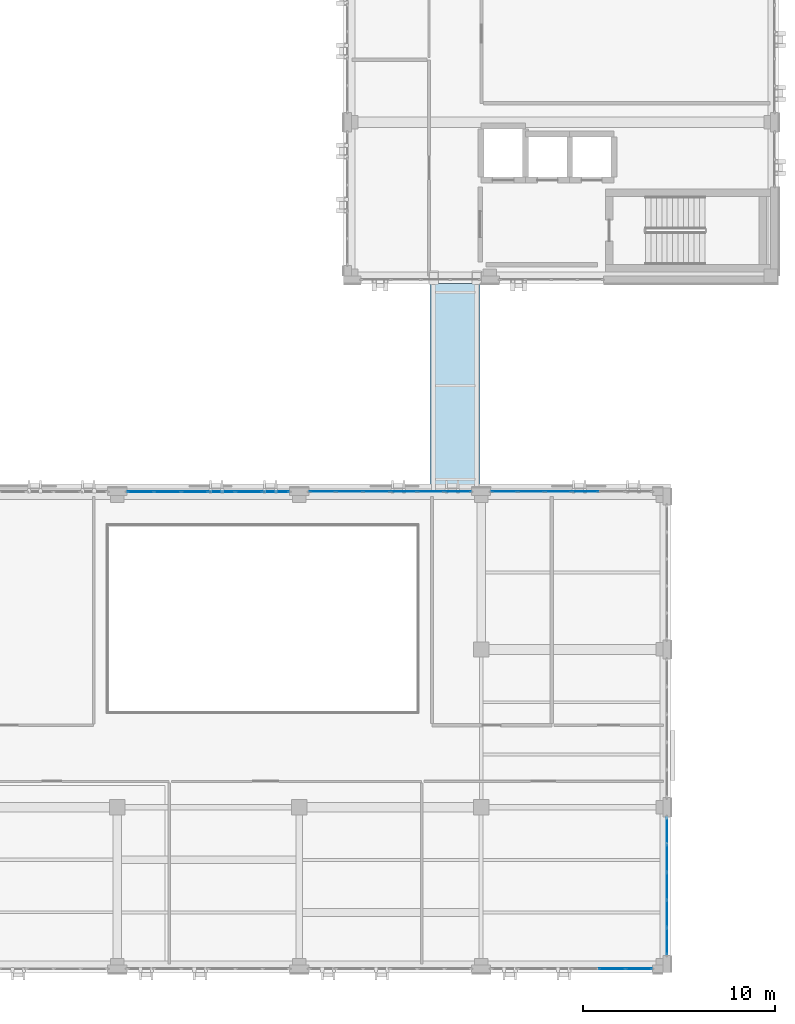
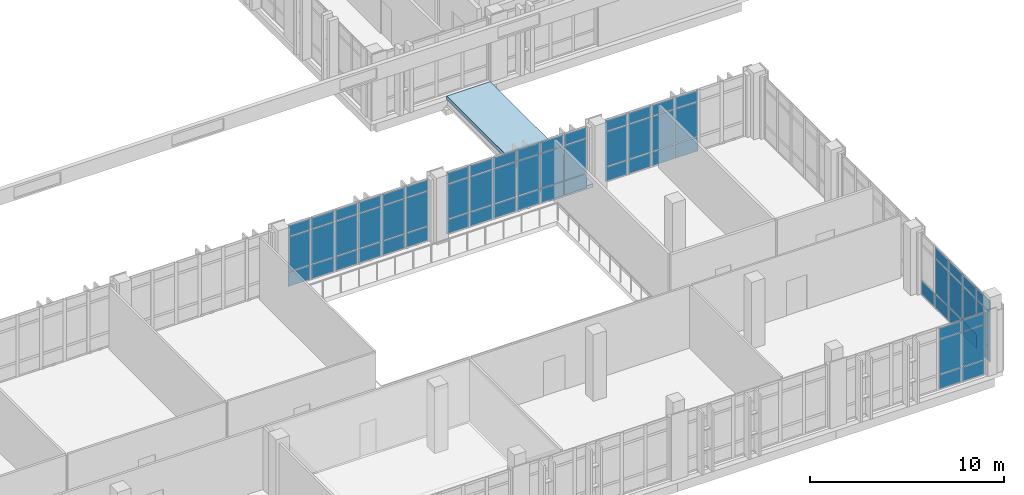
# One storey, part 117 of 158: 67 plates, 1 slab, 5 elements without a shape of their own.
"""IFC4 building model written with IfcOpenShell, lengths in metres."""

from ifc_helpers import new_model, si_unit, direction, frame, origin, origin_2d, place, context, subcontext, project, spatial, polyline, rectangle, outline, extrude, material, layer, layer_set, type_object, element, aggregate, save


model = new_model("IFC4")

# Units and contexts
model_context = context("Model", 3, precision=1e-05, world=origin(), true_north=direction((0.0, 1.0)))
body_context = subcontext(model_context, "Body", "Model", "MODEL_VIEW")
ifc_project = project(units=[si_unit("LENGTHUNIT", "METRE"), si_unit("AREAUNIT", "SQUARE_METRE"), si_unit("VOLUMEUNIT", "CUBIC_METRE"), si_unit("PLANEANGLEUNIT", "RADIAN"), si_unit("MASSUNIT", "GRAM", prefix="KILO")], contexts=[model_context])

# Site, building, storey
site_placement = place(None, origin())
site = spatial("IfcSite", under=ifc_project, at=site_placement, CompositionType="ELEMENT")
building_placement = place(site_placement, origin())
building = spatial("IfcBuilding", under=site, at=building_placement, Name="Qalavern Law Courts", CompositionType="ELEMENT")
storey_placement = place(building_placement, frame((0.0, 0.0, 18.60009765625)))
storey = spatial("IfcBuildingStorey", under=building, at=storey_placement, Name="L04", CompositionType="ELEMENT", Elevation=18.60009765625)

# Curtain wall, plates
ifc_material_1 = material(Name="Anodised aluminium and insulated glazing", Category="aluminium")
ifc_layer_1 = layer(ifc_material_1, 0.18505859375)
ifc_layer_set_1 = layer_set([ifc_layer_1], Name="Anodised aluminium and insulated glazing")
curtain_wall_type = type_object("IfcCurtainWallType", Name="ENV-CW-HALL", PredefinedType="USERDEFINED", material=ifc_layer_set_1)
curtain_wall_1_placement = place(storey_placement, origin())
curtain_wall_1 = element("IfcCurtainWall", 1, at=curtain_wall_1_placement, inside=storey, type_object=curtain_wall_type, Name="V2 unitised curtain wall L04 east 1", ObjectType="UNITISED CURTAIN WALL", PredefinedType="USERDEFINED")
ifc_material_2 = material(Name="Insulated low-E acoustic glazing", Category="glass")
ifc_layer_2 = layer(ifc_material_2, 0.02392578125)
ifc_layer_set_2 = layer_set([ifc_layer_2], Name="Insulated low-E acoustic glazing")
plate_type_1 = type_object("IfcPlateType", Name="ENV-CWP-24", PredefinedType="CURTAIN_PANEL", material=ifc_layer_set_2)
plate_1_placement = place(storey_placement, frame((101.0, 6.83203125, 0.0478515625), z_axis=(0.0, 0.0, 1.0), x_axis=(0.0, 1.0, 0.0)))
plate_1 = element("IfcPlate", 2, at=plate_1_placement, type_object=plate_type_1, Name="CW-02 panel 1.1", PredefinedType="CURTAIN_PANEL", context=body_context, shape_type="SweptSolid", body=[
    extrude(rectangle(XDim=1.367919921875, YDim=0.02392578125, at=origin_2d()), origin(), (0.0, 0.0, 1.0), 0.8779296875),
])
plate_2_placement = place(storey_placement, frame((101.0, 6.83203125, 0.97412109375), z_axis=(0.0, 0.0, 1.0), x_axis=(0.0, 1.0, 0.0)))
plate_2 = element("IfcPlate", 3, at=plate_2_placement, type_object=plate_type_1, Name="CW-02 panel 1.2", PredefinedType="CURTAIN_PANEL", context=body_context, shape_type="SweptSolid", body=[
    extrude(rectangle(XDim=1.367919921875, YDim=0.02392578125, at=origin_2d()), origin(), (0.0, 0.0, 1.0), 2.177001953125),
])
plate_3_placement = place(storey_placement, frame((101.0, 6.83203125, 3.19873046875), z_axis=(0.0, 0.0, 1.0), x_axis=(0.0, 1.0, 0.0)))
plate_3 = element("IfcPlate", 4, at=plate_3_placement, type_object=plate_type_1, Name="CW-02 panel 1.3", PredefinedType="CURTAIN_PANEL", context=body_context, shape_type="SweptSolid", body=[
    extrude(rectangle(XDim=1.367919921875, YDim=0.02392578125, at=origin_2d()), origin(), (0.0, 0.0, 1.0), 0.677978515625),
])
plate_4_placement = place(storey_placement, frame((101.0, 8.260009765625, 0.0478515625), z_axis=(0.0, 0.0, 1.0), x_axis=(0.0, 1.0, 0.0)))
plate_4 = element("IfcPlate", 5, at=plate_4_placement, type_object=plate_type_1, Name="CW-02 panel 2.1", PredefinedType="CURTAIN_PANEL", context=body_context, shape_type="SweptSolid", body=[
    extrude(rectangle(XDim=1.39208984375, YDim=0.02392578125, at=origin_2d()), origin(), (0.0, 0.0, 1.0), 0.8779296875),
])
plate_5_placement = place(storey_placement, frame((101.0, 8.260009765625, 0.97412109375), z_axis=(0.0, 0.0, 1.0), x_axis=(0.0, 1.0, 0.0)))
plate_5 = element("IfcPlate", 6, at=plate_5_placement, type_object=plate_type_1, Name="CW-02 panel 2.2", PredefinedType="CURTAIN_PANEL", context=body_context, shape_type="SweptSolid", body=[
    extrude(rectangle(XDim=1.39208984375, YDim=0.02392578125, at=origin_2d()), origin(), (0.0, 0.0, 1.0), 2.177001953125),
])
plate_6_placement = place(storey_placement, frame((101.0, 8.260009765625, 3.19873046875), z_axis=(0.0, 0.0, 1.0), x_axis=(0.0, 1.0, 0.0)))
plate_6 = element("IfcPlate", 7, at=plate_6_placement, type_object=plate_type_1, Name="CW-02 panel 2.3", PredefinedType="CURTAIN_PANEL", context=body_context, shape_type="SweptSolid", body=[
    extrude(rectangle(XDim=1.39208984375, YDim=0.02392578125, at=origin_2d()), origin(), (0.0, 0.0, 1.0), 0.677978515625),
])
plate_7_placement = place(storey_placement, frame((101.0, 9.699951171875, 0.0478515625), z_axis=(0.0, 0.0, 1.0), x_axis=(0.0, 1.0, 0.0)))
plate_7 = element("IfcPlate", 8, at=plate_7_placement, type_object=plate_type_1, Name="CW-02 panel 3.1", PredefinedType="CURTAIN_PANEL", context=body_context, shape_type="SweptSolid", body=[
    extrude(rectangle(XDim=1.39208984375, YDim=0.02392578125, at=origin_2d()), origin(), (0.0, 0.0, 1.0), 0.8779296875),
])
plate_8_placement = place(storey_placement, frame((101.0, 9.699951171875, 0.97412109375), z_axis=(0.0, 0.0, 1.0), x_axis=(0.0, 1.0, 0.0)))
plate_8 = element("IfcPlate", 9, at=plate_8_placement, type_object=plate_type_1, Name="CW-02 panel 3.2", PredefinedType="CURTAIN_PANEL", context=body_context, shape_type="SweptSolid", body=[
    extrude(rectangle(XDim=1.39208984375, YDim=0.02392578125, at=origin_2d()), origin(), (0.0, 0.0, 1.0), 2.177001953125),
])
plate_9_placement = place(storey_placement, frame((101.0, 9.699951171875, 3.19873046875), z_axis=(0.0, 0.0, 1.0), x_axis=(0.0, 1.0, 0.0)))
plate_9 = element("IfcPlate", 10, at=plate_9_placement, type_object=plate_type_1, Name="CW-02 panel 3.3", PredefinedType="CURTAIN_PANEL", context=body_context, shape_type="SweptSolid", body=[
    extrude(rectangle(XDim=1.39208984375, YDim=0.02392578125, at=origin_2d()), origin(), (0.0, 0.0, 1.0), 0.677978515625),
])
plate_10_placement = place(storey_placement, frame((101.0, 11.139892578125, 0.0478515625), z_axis=(0.0, 0.0, 1.0), x_axis=(0.0, 1.0, 0.0)))
plate_10 = element("IfcPlate", 11, at=plate_10_placement, type_object=plate_type_1, Name="CW-02 panel 4.1", PredefinedType="CURTAIN_PANEL", context=body_context, shape_type="SweptSolid", body=[
    extrude(rectangle(XDim=1.39208984375, YDim=0.02392578125, at=origin_2d()), origin(), (0.0, 0.0, 1.0), 0.8779296875),
])
plate_11_placement = place(storey_placement, frame((101.0, 11.139892578125, 0.97412109375), z_axis=(0.0, 0.0, 1.0), x_axis=(0.0, 1.0, 0.0)))
plate_11 = element("IfcPlate", 12, at=plate_11_placement, type_object=plate_type_1, Name="CW-02 panel 4.2", PredefinedType="CURTAIN_PANEL", context=body_context, shape_type="SweptSolid", body=[
    extrude(rectangle(XDim=1.39208984375, YDim=0.02392578125, at=origin_2d()), origin(), (0.0, 0.0, 1.0), 2.177001953125),
])
plate_12_placement = place(storey_placement, frame((101.0, 11.139892578125, 3.19873046875), z_axis=(0.0, 0.0, 1.0), x_axis=(0.0, 1.0, 0.0)))
plate_12 = element("IfcPlate", 13, at=plate_12_placement, type_object=plate_type_1, Name="CW-02 panel 4.3", PredefinedType="CURTAIN_PANEL", context=body_context, shape_type="SweptSolid", body=[
    extrude(rectangle(XDim=1.39208984375, YDim=0.02392578125, at=origin_2d()), origin(), (0.0, 0.0, 1.0), 0.677978515625),
])
plate_13_placement = place(storey_placement, frame((101.0, 12.568115234375, 0.0478515625), z_axis=(0.0, 0.0, 1.0), x_axis=(0.0, 1.0, 0.0)))
plate_13 = element("IfcPlate", 14, at=plate_13_placement, type_object=plate_type_1, Name="CW-02 panel 5.1", PredefinedType="CURTAIN_PANEL", context=body_context, shape_type="SweptSolid", body=[
    extrude(rectangle(XDim=1.367919921875, YDim=0.02392578125, at=origin_2d()), origin(), (0.0, 0.0, 1.0), 0.8779296875),
])
aggregate(curtain_wall_1, [plate_1, plate_2, plate_3, plate_4, plate_5, plate_6, plate_7, plate_8, plate_9, plate_10, plate_11, plate_12, plate_13])

curtain_wall_2_placement = place(storey_placement, origin())
curtain_wall_2 = element("IfcCurtainWall", 15, at=curtain_wall_2_placement, inside=storey, type_object=curtain_wall_type, Name="V2 unitised curtain wall L04 north 1", ObjectType="UNITISED CURTAIN WALL", PredefinedType="USERDEFINED")
plate_14_placement = place(storey_placement, frame((96.751220703125, 30.199951171875, 0.0478515625), z_axis=(0.0, 0.0, 1.0), x_axis=(-1.0, 0.0, 0.0)))
plate_14 = element("IfcPlate", 16, at=plate_14_placement, type_object=plate_type_1, Name="CW-02 panel 3.1", PredefinedType="CURTAIN_PANEL", context=body_context, shape_type="SweptSolid", body=[
    extrude(rectangle(XDim=1.353515625, YDim=0.02392578125, at=origin_2d()), origin(), (0.0, 0.0, 1.0), 0.8779296875),
])
plate_15_placement = place(storey_placement, frame((96.751220703125, 30.199951171875, 0.97412109375), z_axis=(0.0, 0.0, 1.0), x_axis=(-1.0, 0.0, 0.0)))
plate_15 = element("IfcPlate", 17, at=plate_15_placement, type_object=plate_type_1, Name="CW-02 panel 3.2", PredefinedType="CURTAIN_PANEL", context=body_context, shape_type="SweptSolid", body=[
    extrude(rectangle(XDim=1.353515625, YDim=0.02392578125, at=origin_2d()), origin(), (0.0, 0.0, 1.0), 2.177001953125),
])
plate_16_placement = place(storey_placement, frame((96.751220703125, 30.199951171875, 3.19873046875), z_axis=(0.0, 0.0, 1.0), x_axis=(-1.0, 0.0, 0.0)))
plate_16 = element("IfcPlate", 18, at=plate_16_placement, type_object=plate_type_1, Name="CW-02 panel 3.3", PredefinedType="CURTAIN_PANEL", context=body_context, shape_type="SweptSolid", body=[
    extrude(rectangle(XDim=1.353515625, YDim=0.02392578125, at=origin_2d()), origin(), (0.0, 0.0, 1.0), 0.677978515625),
])
plate_17_placement = place(storey_placement, frame((95.349609375, 30.199951171875, 0.0478515625), z_axis=(0.0, 0.0, 1.0), x_axis=(-1.0, 0.0, 0.0)))
plate_17 = element("IfcPlate", 19, at=plate_17_placement, type_object=plate_type_1, Name="CW-02 panel 4.1", PredefinedType="CURTAIN_PANEL", context=body_context, shape_type="SweptSolid", body=[
    extrude(rectangle(XDim=1.353515625, YDim=0.02392578125, at=origin_2d()), origin(), (0.0, 0.0, 1.0), 0.8779296875),
])
plate_18_placement = place(storey_placement, frame((95.349609375, 30.199951171875, 0.97412109375), z_axis=(0.0, 0.0, 1.0), x_axis=(-1.0, 0.0, 0.0)))
plate_18 = element("IfcPlate", 20, at=plate_18_placement, type_object=plate_type_1, Name="CW-02 panel 4.2", PredefinedType="CURTAIN_PANEL", context=body_context, shape_type="SweptSolid", body=[
    extrude(rectangle(XDim=1.353515625, YDim=0.02392578125, at=origin_2d()), origin(), (0.0, 0.0, 1.0), 2.177001953125),
])
plate_19_placement = place(storey_placement, frame((95.349609375, 30.199951171875, 3.19873046875), z_axis=(0.0, 0.0, 1.0), x_axis=(-1.0, 0.0, 0.0)))
plate_19 = element("IfcPlate", 21, at=plate_19_placement, type_object=plate_type_1, Name="CW-02 panel 4.3", PredefinedType="CURTAIN_PANEL", context=body_context, shape_type="SweptSolid", body=[
    extrude(rectangle(XDim=1.353515625, YDim=0.02392578125, at=origin_2d()), origin(), (0.0, 0.0, 1.0), 0.677978515625),
])
plate_20_placement = place(storey_placement, frame((93.947998046875, 30.199951171875, 0.0478515625), z_axis=(0.0, 0.0, 1.0), x_axis=(-1.0, 0.0, 0.0)))
plate_20 = element("IfcPlate", 22, at=plate_20_placement, type_object=plate_type_1, Name="CW-02 panel 5.1", PredefinedType="CURTAIN_PANEL", context=body_context, shape_type="SweptSolid", body=[
    extrude(rectangle(XDim=1.353515625, YDim=0.02392578125, at=origin_2d()), origin(), (0.0, 0.0, 1.0), 0.8779296875),
])
plate_21_placement = place(storey_placement, frame((93.947998046875, 30.199951171875, 0.97412109375), z_axis=(0.0, 0.0, 1.0), x_axis=(-1.0, 0.0, 0.0)))
plate_21 = element("IfcPlate", 23, at=plate_21_placement, type_object=plate_type_1, Name="CW-02 panel 5.2", PredefinedType="CURTAIN_PANEL", context=body_context, shape_type="SweptSolid", body=[
    extrude(rectangle(XDim=1.353515625, YDim=0.02392578125, at=origin_2d()), origin(), (0.0, 0.0, 1.0), 2.177001953125),
])
plate_22_placement = place(storey_placement, frame((93.947998046875, 30.199951171875, 3.19873046875), z_axis=(0.0, 0.0, 1.0), x_axis=(-1.0, 0.0, 0.0)))
plate_22 = element("IfcPlate", 24, at=plate_22_placement, type_object=plate_type_1, Name="CW-02 panel 5.3", PredefinedType="CURTAIN_PANEL", context=body_context, shape_type="SweptSolid", body=[
    extrude(rectangle(XDim=1.353515625, YDim=0.02392578125, at=origin_2d()), origin(), (0.0, 0.0, 1.0), 0.677978515625),
])
plate_23_placement = place(storey_placement, frame((92.55859375, 30.199951171875, 0.0478515625), z_axis=(0.0, 0.0, 1.0), x_axis=(-1.0, 0.0, 0.0)))
plate_23 = element("IfcPlate", 25, at=plate_23_placement, type_object=plate_type_1, Name="CW-02 panel 6.1", PredefinedType="CURTAIN_PANEL", context=body_context, shape_type="SweptSolid", body=[
    extrude(rectangle(XDim=1.32958984375, YDim=0.02392578125, at=origin_2d()), origin(), (0.0, 0.0, 1.0), 0.8779296875),
])
plate_24_placement = place(storey_placement, frame((92.55859375, 30.199951171875, 0.97412109375), z_axis=(0.0, 0.0, 1.0), x_axis=(-1.0, 0.0, 0.0)))
plate_24 = element("IfcPlate", 26, at=plate_24_placement, type_object=plate_type_1, Name="CW-02 panel 6.2", PredefinedType="CURTAIN_PANEL", context=body_context, shape_type="SweptSolid", body=[
    extrude(rectangle(XDim=1.32958984375, YDim=0.02392578125, at=origin_2d()), origin(), (0.0, 0.0, 1.0), 2.177001953125),
])
plate_25_placement = place(storey_placement, frame((92.55859375, 30.199951171875, 3.19873046875), z_axis=(0.0, 0.0, 1.0), x_axis=(-1.0, 0.0, 0.0)))
plate_25 = element("IfcPlate", 27, at=plate_25_placement, type_object=plate_type_1, Name="CW-02 panel 6.3", PredefinedType="CURTAIN_PANEL", context=body_context, shape_type="SweptSolid", body=[
    extrude(rectangle(XDim=1.32958984375, YDim=0.02392578125, at=origin_2d()), origin(), (0.0, 0.0, 1.0), 0.677978515625),
])
aggregate(curtain_wall_2, [plate_14, plate_15, plate_16, plate_17, plate_18, plate_19, plate_20, plate_21, plate_22, plate_23, plate_24, plate_25])

curtain_wall_3_placement = place(storey_placement, origin())
curtain_wall_3 = element("IfcCurtainWall", 28, at=curtain_wall_3_placement, inside=storey, type_object=curtain_wall_type, Name="V2 unitised curtain wall L04 north 2", ObjectType="UNITISED CURTAIN WALL", PredefinedType="USERDEFINED")
ifc_layer_3 = layer(ifc_material_2, 0.028076171875)
ifc_layer_set_3 = layer_set([ifc_layer_3], Name="Insulated low-E acoustic glazing")
plate_type_2 = type_object("IfcPlateType", Name="ENV-CWP-28", PredefinedType="CURTAIN_PANEL", material=ifc_layer_set_3)
plate_26_placement = place(storey_placement, frame((90.129150390625, 30.199951171875, 0.0478515625), z_axis=(0.0, 0.0, 1.0), x_axis=(-1.0, 0.0, 0.0)))
plate_26 = element("IfcPlate", 29, at=plate_26_placement, type_object=plate_type_2, Name="CW-02 panel 1.1", PredefinedType="CURTAIN_PANEL", context=body_context, shape_type="SweptSolid", body=[
    extrude(rectangle(XDim=1.337158203125, YDim=0.028076171875, at=origin_2d()), origin(), (0.0, 0.0, 1.0), 0.8779296875),
])
plate_27_placement = place(storey_placement, frame((90.129150390625, 30.199951171875, 0.97412109375), z_axis=(0.0, 0.0, 1.0), x_axis=(-1.0, 0.0, 0.0)))
plate_27 = element("IfcPlate", 30, at=plate_27_placement, type_object=plate_type_2, Name="CW-02 panel 1.2", PredefinedType="CURTAIN_PANEL", context=body_context, shape_type="SweptSolid", body=[
    extrude(rectangle(XDim=1.337158203125, YDim=0.028076171875, at=origin_2d()), origin(), (0.0, 0.0, 1.0), 2.177001953125),
])
plate_28_placement = place(storey_placement, frame((90.129150390625, 30.199951171875, 3.19873046875), z_axis=(0.0, 0.0, 1.0), x_axis=(-1.0, 0.0, 0.0)))
plate_28 = element("IfcPlate", 31, at=plate_28_placement, type_object=plate_type_2, Name="CW-02 panel 1.3", PredefinedType="CURTAIN_PANEL", context=body_context, shape_type="SweptSolid", body=[
    extrude(rectangle(XDim=1.337158203125, YDim=0.028076171875, at=origin_2d()), origin(), (0.0, 0.0, 1.0), 0.677978515625),
])
plate_29_placement = place(storey_placement, frame((88.732177734375, 30.199951171875, 0.0478515625), z_axis=(0.0, 0.0, 1.0), x_axis=(-1.0, 0.0, 0.0)))
plate_29 = element("IfcPlate", 32, at=plate_29_placement, type_object=plate_type_2, Name="CW-02 panel 2.1", PredefinedType="CURTAIN_PANEL", context=body_context, shape_type="SweptSolid", body=[
    extrude(rectangle(XDim=1.361083984375, YDim=0.028076171875, at=origin_2d()), origin(), (0.0, 0.0, 1.0), 0.8779296875),
])
plate_30_placement = place(storey_placement, frame((88.732177734375, 30.199951171875, 0.97412109375), z_axis=(0.0, 0.0, 1.0), x_axis=(-1.0, 0.0, 0.0)))
plate_30 = element("IfcPlate", 33, at=plate_30_placement, type_object=plate_type_2, Name="CW-02 panel 2.2", PredefinedType="CURTAIN_PANEL", context=body_context, shape_type="SweptSolid", body=[
    extrude(rectangle(XDim=1.361083984375, YDim=0.028076171875, at=origin_2d()), origin(), (0.0, 0.0, 1.0), 2.177001953125),
])
plate_31_placement = place(storey_placement, frame((88.732177734375, 30.199951171875, 3.19873046875), z_axis=(0.0, 0.0, 1.0), x_axis=(-1.0, 0.0, 0.0)))
plate_31 = element("IfcPlate", 34, at=plate_31_placement, type_object=plate_type_2, Name="CW-02 panel 2.3", PredefinedType="CURTAIN_PANEL", context=body_context, shape_type="SweptSolid", body=[
    extrude(rectangle(XDim=1.361083984375, YDim=0.028076171875, at=origin_2d()), origin(), (0.0, 0.0, 1.0), 0.677978515625),
])
plate_32_placement = place(storey_placement, frame((87.322998046875, 30.199951171875, 0.0478515625), z_axis=(0.0, 0.0, 1.0), x_axis=(-1.0, 0.0, 0.0)))
plate_32 = element("IfcPlate", 35, at=plate_32_placement, type_object=plate_type_2, Name="CW-02 panel 3.1", PredefinedType="CURTAIN_PANEL", context=body_context, shape_type="SweptSolid", body=[
    extrude(rectangle(XDim=1.361083984375, YDim=0.028076171875, at=origin_2d()), origin(), (0.0, 0.0, 1.0), 0.8779296875),
])
plate_33_placement = place(storey_placement, frame((87.322998046875, 30.199951171875, 0.97412109375), z_axis=(0.0, 0.0, 1.0), x_axis=(-1.0, 0.0, 0.0)))
plate_33 = element("IfcPlate", 36, at=plate_33_placement, type_object=plate_type_2, Name="CW-02 panel 3.2", PredefinedType="CURTAIN_PANEL", context=body_context, shape_type="SweptSolid", body=[
    extrude(rectangle(XDim=1.361083984375, YDim=0.028076171875, at=origin_2d()), origin(), (0.0, 0.0, 1.0), 2.177001953125),
])
plate_34_placement = place(storey_placement, frame((87.322998046875, 30.199951171875, 3.19873046875), z_axis=(0.0, 0.0, 1.0), x_axis=(-1.0, 0.0, 0.0)))
plate_34 = element("IfcPlate", 37, at=plate_34_placement, type_object=plate_type_2, Name="CW-02 panel 3.3", PredefinedType="CURTAIN_PANEL", context=body_context, shape_type="SweptSolid", body=[
    extrude(rectangle(XDim=1.361083984375, YDim=0.028076171875, at=origin_2d()), origin(), (0.0, 0.0, 1.0), 0.677978515625),
])
plate_35_placement = place(storey_placement, frame((85.9140625, 30.199951171875, 0.0478515625), z_axis=(0.0, 0.0, 1.0), x_axis=(-1.0, 0.0, 0.0)))
plate_35 = element("IfcPlate", 38, at=plate_35_placement, type_object=plate_type_2, Name="CW-02 panel 4.1", PredefinedType="CURTAIN_PANEL", context=body_context, shape_type="SweptSolid", body=[
    extrude(rectangle(XDim=1.361083984375, YDim=0.028076171875, at=origin_2d()), origin(), (0.0, 0.0, 1.0), 0.8779296875),
])
plate_36_placement = place(storey_placement, frame((85.9140625, 30.199951171875, 0.97412109375), z_axis=(0.0, 0.0, 1.0), x_axis=(-1.0, 0.0, 0.0)))
plate_36 = element("IfcPlate", 39, at=plate_36_placement, type_object=plate_type_2, Name="CW-02 panel 4.2", PredefinedType="CURTAIN_PANEL", context=body_context, shape_type="SweptSolid", body=[
    extrude(rectangle(XDim=1.361083984375, YDim=0.028076171875, at=origin_2d()), origin(), (0.0, 0.0, 1.0), 2.177001953125),
])
plate_37_placement = place(storey_placement, frame((85.9140625, 30.199951171875, 3.19873046875), z_axis=(0.0, 0.0, 1.0), x_axis=(-1.0, 0.0, 0.0)))
plate_37 = element("IfcPlate", 40, at=plate_37_placement, type_object=plate_type_2, Name="CW-02 panel 4.3", PredefinedType="CURTAIN_PANEL", context=body_context, shape_type="SweptSolid", body=[
    extrude(rectangle(XDim=1.361083984375, YDim=0.028076171875, at=origin_2d()), origin(), (0.0, 0.0, 1.0), 0.677978515625),
])
plate_38_placement = place(storey_placement, frame((84.5048828125, 30.199951171875, 0.0478515625), z_axis=(0.0, 0.0, 1.0), x_axis=(-1.0, 0.0, 0.0)))
plate_38 = element("IfcPlate", 41, at=plate_38_placement, type_object=plate_type_2, Name="CW-02 panel 5.1", PredefinedType="CURTAIN_PANEL", context=body_context, shape_type="SweptSolid", body=[
    extrude(rectangle(XDim=1.361083984375, YDim=0.028076171875, at=origin_2d()), origin(), (0.0, 0.0, 1.0), 0.8779296875),
])
plate_39_placement = place(storey_placement, frame((84.5048828125, 30.199951171875, 0.97412109375), z_axis=(0.0, 0.0, 1.0), x_axis=(-1.0, 0.0, 0.0)))
plate_39 = element("IfcPlate", 42, at=plate_39_placement, type_object=plate_type_2, Name="CW-02 panel 5.2", PredefinedType="CURTAIN_PANEL", context=body_context, shape_type="SweptSolid", body=[
    extrude(rectangle(XDim=1.361083984375, YDim=0.028076171875, at=origin_2d()), origin(), (0.0, 0.0, 1.0), 2.177001953125),
])
plate_40_placement = place(storey_placement, frame((84.5048828125, 30.199951171875, 3.19873046875), z_axis=(0.0, 0.0, 1.0), x_axis=(-1.0, 0.0, 0.0)))
plate_40 = element("IfcPlate", 43, at=plate_40_placement, type_object=plate_type_2, Name="CW-02 panel 5.3", PredefinedType="CURTAIN_PANEL", context=body_context, shape_type="SweptSolid", body=[
    extrude(rectangle(XDim=1.361083984375, YDim=0.028076171875, at=origin_2d()), origin(), (0.0, 0.0, 1.0), 0.677978515625),
])
plate_41_placement = place(storey_placement, frame((83.10791015625, 30.199951171875, 0.0478515625), z_axis=(0.0, 0.0, 1.0), x_axis=(-1.0, 0.0, 0.0)))
plate_41 = element("IfcPlate", 44, at=plate_41_placement, type_object=plate_type_2, Name="CW-02 panel 6.1", PredefinedType="CURTAIN_PANEL", context=body_context, shape_type="SweptSolid", body=[
    extrude(rectangle(XDim=1.337158203125, YDim=0.028076171875, at=origin_2d()), origin(), (0.0, 0.0, 1.0), 0.8779296875),
])
plate_42_placement = place(storey_placement, frame((83.10791015625, 30.199951171875, 0.97412109375), z_axis=(0.0, 0.0, 1.0), x_axis=(-1.0, 0.0, 0.0)))
plate_42 = element("IfcPlate", 45, at=plate_42_placement, type_object=plate_type_2, Name="CW-02 panel 6.2", PredefinedType="CURTAIN_PANEL", context=body_context, shape_type="SweptSolid", body=[
    extrude(rectangle(XDim=1.337158203125, YDim=0.028076171875, at=origin_2d()), origin(), (0.0, 0.0, 1.0), 2.177001953125),
])
plate_43_placement = place(storey_placement, frame((83.10791015625, 30.199951171875, 3.19873046875), z_axis=(0.0, 0.0, 1.0), x_axis=(-1.0, 0.0, 0.0)))
plate_43 = element("IfcPlate", 46, at=plate_43_placement, type_object=plate_type_2, Name="CW-02 panel 6.3", PredefinedType="CURTAIN_PANEL", context=body_context, shape_type="SweptSolid", body=[
    extrude(rectangle(XDim=1.337158203125, YDim=0.028076171875, at=origin_2d()), origin(), (0.0, 0.0, 1.0), 0.677978515625),
])
aggregate(curtain_wall_3, [plate_26, plate_27, plate_28, plate_29, plate_30, plate_31, plate_32, plate_33, plate_34, plate_35, plate_36, plate_37, plate_38, plate_39, plate_40, plate_41, plate_42, plate_43])

curtain_wall_4_placement = place(storey_placement, origin())
curtain_wall_4 = element("IfcCurtainWall", 47, at=curtain_wall_4_placement, inside=storey, type_object=curtain_wall_type, Name="V2 unitised curtain wall L04 north 3", ObjectType="UNITISED CURTAIN WALL", PredefinedType="USERDEFINED")
ifc_layer_4 = layer(ifc_material_2, 0.031982421875)
ifc_layer_set_4 = layer_set([ifc_layer_4], Name="Insulated low-E acoustic glazing")
plate_type_3 = type_object("IfcPlateType", Name="ENV-CWP-32", PredefinedType="CURTAIN_PANEL", material=ifc_layer_set_4)
plate_44_placement = place(storey_placement, frame((80.6748046875, 30.199951171875, 0.0478515625), z_axis=(0.0, 0.0, 1.0), x_axis=(-1.0, 0.0, 0.0)))
plate_44 = element("IfcPlate", 48, at=plate_44_placement, type_object=plate_type_3, Name="CW-02 panel 1.1", PredefinedType="CURTAIN_PANEL", context=body_context, shape_type="SweptSolid", body=[
    extrude(rectangle(XDim=1.337158203125, YDim=0.031982421875, at=origin_2d()), origin(), (0.0, 0.0, 1.0), 0.8779296875),
])
plate_45_placement = place(storey_placement, frame((80.6748046875, 30.199951171875, 0.97412109375), z_axis=(0.0, 0.0, 1.0), x_axis=(-1.0, 0.0, 0.0)))
plate_45 = element("IfcPlate", 49, at=plate_45_placement, type_object=plate_type_3, Name="CW-02 panel 1.2", PredefinedType="CURTAIN_PANEL", context=body_context, shape_type="SweptSolid", body=[
    extrude(rectangle(XDim=1.337158203125, YDim=0.031982421875, at=origin_2d()), origin(), (0.0, 0.0, 1.0), 2.177001953125),
])
plate_46_placement = place(storey_placement, frame((80.6748046875, 30.199951171875, 3.19873046875), z_axis=(0.0, 0.0, 1.0), x_axis=(-1.0, 0.0, 0.0)))
plate_46 = element("IfcPlate", 50, at=plate_46_placement, type_object=plate_type_3, Name="CW-02 panel 1.3", PredefinedType="CURTAIN_PANEL", context=body_context, shape_type="SweptSolid", body=[
    extrude(rectangle(XDim=1.337158203125, YDim=0.031982421875, at=origin_2d()), origin(), (0.0, 0.0, 1.0), 0.677978515625),
])
plate_47_placement = place(storey_placement, frame((79.27783203125, 30.199951171875, 0.0478515625), z_axis=(0.0, 0.0, 1.0), x_axis=(-1.0, 0.0, 0.0)))
plate_47 = element("IfcPlate", 51, at=plate_47_placement, type_object=plate_type_3, Name="CW-02 panel 2.1", PredefinedType="CURTAIN_PANEL", context=body_context, shape_type="SweptSolid", body=[
    extrude(rectangle(XDim=1.361083984375, YDim=0.031982421875, at=origin_2d()), origin(), (0.0, 0.0, 1.0), 0.8779296875),
])
plate_48_placement = place(storey_placement, frame((79.27783203125, 30.199951171875, 0.97412109375), z_axis=(0.0, 0.0, 1.0), x_axis=(-1.0, 0.0, 0.0)))
plate_48 = element("IfcPlate", 52, at=plate_48_placement, type_object=plate_type_3, Name="CW-02 panel 2.2", PredefinedType="CURTAIN_PANEL", context=body_context, shape_type="SweptSolid", body=[
    extrude(rectangle(XDim=1.361083984375, YDim=0.031982421875, at=origin_2d()), origin(), (0.0, 0.0, 1.0), 2.177001953125),
])
plate_49_placement = place(storey_placement, frame((79.27783203125, 30.199951171875, 3.19873046875), z_axis=(0.0, 0.0, 1.0), x_axis=(-1.0, 0.0, 0.0)))
plate_49 = element("IfcPlate", 53, at=plate_49_placement, type_object=plate_type_3, Name="CW-02 panel 2.3", PredefinedType="CURTAIN_PANEL", context=body_context, shape_type="SweptSolid", body=[
    extrude(rectangle(XDim=1.361083984375, YDim=0.031982421875, at=origin_2d()), origin(), (0.0, 0.0, 1.0), 0.677978515625),
])
plate_50_placement = place(storey_placement, frame((77.868896484375, 30.199951171875, 0.0478515625), z_axis=(0.0, 0.0, 1.0), x_axis=(-1.0, 0.0, 0.0)))
plate_50 = element("IfcPlate", 54, at=plate_50_placement, type_object=plate_type_3, Name="CW-02 panel 3.1", PredefinedType="CURTAIN_PANEL", context=body_context, shape_type="SweptSolid", body=[
    extrude(rectangle(XDim=1.361083984375, YDim=0.031982421875, at=origin_2d()), origin(), (0.0, 0.0, 1.0), 0.8779296875),
])
plate_51_placement = place(storey_placement, frame((77.868896484375, 30.199951171875, 0.97412109375), z_axis=(0.0, 0.0, 1.0), x_axis=(-1.0, 0.0, 0.0)))
plate_51 = element("IfcPlate", 55, at=plate_51_placement, type_object=plate_type_3, Name="CW-02 panel 3.2", PredefinedType="CURTAIN_PANEL", context=body_context, shape_type="SweptSolid", body=[
    extrude(rectangle(XDim=1.361083984375, YDim=0.031982421875, at=origin_2d()), origin(), (0.0, 0.0, 1.0), 2.177001953125),
])
plate_52_placement = place(storey_placement, frame((77.868896484375, 30.199951171875, 3.19873046875), z_axis=(0.0, 0.0, 1.0), x_axis=(-1.0, 0.0, 0.0)))
plate_52 = element("IfcPlate", 56, at=plate_52_placement, type_object=plate_type_3, Name="CW-02 panel 3.3", PredefinedType="CURTAIN_PANEL", context=body_context, shape_type="SweptSolid", body=[
    extrude(rectangle(XDim=1.361083984375, YDim=0.031982421875, at=origin_2d()), origin(), (0.0, 0.0, 1.0), 0.677978515625),
])
plate_53_placement = place(storey_placement, frame((76.459716796875, 30.199951171875, 0.0478515625), z_axis=(0.0, 0.0, 1.0), x_axis=(-1.0, 0.0, 0.0)))
plate_53 = element("IfcPlate", 57, at=plate_53_placement, type_object=plate_type_3, Name="CW-02 panel 4.1", PredefinedType="CURTAIN_PANEL", context=body_context, shape_type="SweptSolid", body=[
    extrude(rectangle(XDim=1.361083984375, YDim=0.031982421875, at=origin_2d()), origin(), (0.0, 0.0, 1.0), 0.8779296875),
])
plate_54_placement = place(storey_placement, frame((76.459716796875, 30.199951171875, 0.97412109375), z_axis=(0.0, 0.0, 1.0), x_axis=(-1.0, 0.0, 0.0)))
plate_54 = element("IfcPlate", 58, at=plate_54_placement, type_object=plate_type_3, Name="CW-02 panel 4.2", PredefinedType="CURTAIN_PANEL", context=body_context, shape_type="SweptSolid", body=[
    extrude(rectangle(XDim=1.361083984375, YDim=0.031982421875, at=origin_2d()), origin(), (0.0, 0.0, 1.0), 2.177001953125),
])
plate_55_placement = place(storey_placement, frame((76.459716796875, 30.199951171875, 3.19873046875), z_axis=(0.0, 0.0, 1.0), x_axis=(-1.0, 0.0, 0.0)))
plate_55 = element("IfcPlate", 59, at=plate_55_placement, type_object=plate_type_3, Name="CW-02 panel 4.3", PredefinedType="CURTAIN_PANEL", context=body_context, shape_type="SweptSolid", body=[
    extrude(rectangle(XDim=1.361083984375, YDim=0.031982421875, at=origin_2d()), origin(), (0.0, 0.0, 1.0), 0.677978515625),
])
plate_56_placement = place(storey_placement, frame((75.05078125, 30.199951171875, 0.0478515625), z_axis=(0.0, 0.0, 1.0), x_axis=(-1.0, 0.0, 0.0)))
plate_56 = element("IfcPlate", 60, at=plate_56_placement, type_object=plate_type_3, Name="CW-02 panel 5.1", PredefinedType="CURTAIN_PANEL", context=body_context, shape_type="SweptSolid", body=[
    extrude(rectangle(XDim=1.361083984375, YDim=0.031982421875, at=origin_2d()), origin(), (0.0, 0.0, 1.0), 0.8779296875),
])
plate_57_placement = place(storey_placement, frame((75.05078125, 30.199951171875, 0.97412109375), z_axis=(0.0, 0.0, 1.0), x_axis=(-1.0, 0.0, 0.0)))
plate_57 = element("IfcPlate", 61, at=plate_57_placement, type_object=plate_type_3, Name="CW-02 panel 5.2", PredefinedType="CURTAIN_PANEL", context=body_context, shape_type="SweptSolid", body=[
    extrude(rectangle(XDim=1.361083984375, YDim=0.031982421875, at=origin_2d()), origin(), (0.0, 0.0, 1.0), 2.177001953125),
])
plate_58_placement = place(storey_placement, frame((75.05078125, 30.199951171875, 3.19873046875), z_axis=(0.0, 0.0, 1.0), x_axis=(-1.0, 0.0, 0.0)))
plate_58 = element("IfcPlate", 62, at=plate_58_placement, type_object=plate_type_3, Name="CW-02 panel 5.3", PredefinedType="CURTAIN_PANEL", context=body_context, shape_type="SweptSolid", body=[
    extrude(rectangle(XDim=1.361083984375, YDim=0.031982421875, at=origin_2d()), origin(), (0.0, 0.0, 1.0), 0.677978515625),
])
plate_59_placement = place(storey_placement, frame((73.653564453125, 30.199951171875, 0.0478515625), z_axis=(0.0, 0.0, 1.0), x_axis=(-1.0, 0.0, 0.0)))
plate_59 = element("IfcPlate", 63, at=plate_59_placement, type_object=plate_type_3, Name="CW-02 panel 6.1", PredefinedType="CURTAIN_PANEL", context=body_context, shape_type="SweptSolid", body=[
    extrude(rectangle(XDim=1.337158203125, YDim=0.031982421875, at=origin_2d()), origin(), (0.0, 0.0, 1.0), 0.8779296875),
])
plate_60_placement = place(storey_placement, frame((73.653564453125, 30.199951171875, 0.97412109375), z_axis=(0.0, 0.0, 1.0), x_axis=(-1.0, 0.0, 0.0)))
plate_60 = element("IfcPlate", 64, at=plate_60_placement, type_object=plate_type_3, Name="CW-02 panel 6.2", PredefinedType="CURTAIN_PANEL", context=body_context, shape_type="SweptSolid", body=[
    extrude(rectangle(XDim=1.337158203125, YDim=0.031982421875, at=origin_2d()), origin(), (0.0, 0.0, 1.0), 2.177001953125),
])
plate_61_placement = place(storey_placement, frame((73.653564453125, 30.199951171875, 3.19873046875), z_axis=(0.0, 0.0, 1.0), x_axis=(-1.0, 0.0, 0.0)))
plate_61 = element("IfcPlate", 65, at=plate_61_placement, type_object=plate_type_3, Name="CW-02 panel 6.3", PredefinedType="CURTAIN_PANEL", context=body_context, shape_type="SweptSolid", body=[
    extrude(rectangle(XDim=1.337158203125, YDim=0.031982421875, at=origin_2d()), origin(), (0.0, 0.0, 1.0), 0.677978515625),
])
aggregate(curtain_wall_4, [plate_44, plate_45, plate_46, plate_47, plate_48, plate_49, plate_50, plate_51, plate_52, plate_53, plate_54, plate_55, plate_56, plate_57, plate_58, plate_59, plate_60, plate_61])

curtain_wall_5_placement = place(storey_placement, origin())
curtain_wall_5 = element("IfcCurtainWall", 66, at=curtain_wall_5_placement, inside=storey, type_object=curtain_wall_type, Name="V2 unitised curtain wall L04 south 6", ObjectType="UNITISED CURTAIN WALL", PredefinedType="USERDEFINED")
ifc_layer_5 = layer(ifc_material_2, 0.0439453125)
ifc_layer_set_5 = layer_set([ifc_layer_5], Name="Insulated low-E acoustic glazing")
plate_type_4 = type_object("IfcPlateType", Name="ENV-CWP-44", PredefinedType="CURTAIN_PANEL", material=ifc_layer_set_5)
plate_62_placement = place(storey_placement, frame((98.152587890625, 5.39990234375, 0.0478515625), z_axis=(0.0, 0.0, 1.0), x_axis=(1.0, 0.0, 0.0)))
plate_62 = element("IfcPlate", 67, at=plate_62_placement, type_object=plate_type_4, Name="CW-02 panel 5.1", PredefinedType="CURTAIN_PANEL", context=body_context, shape_type="SweptSolid", body=[
    extrude(rectangle(XDim=1.353515625, YDim=0.0439453125, at=origin_2d()), origin(), (0.0, 0.0, 1.0), 0.8779296875),
])
plate_63_placement = place(storey_placement, frame((98.152587890625, 5.39990234375, 0.97412109375), z_axis=(0.0, 0.0, 1.0), x_axis=(1.0, 0.0, 0.0)))
plate_63 = element("IfcPlate", 68, at=plate_63_placement, type_object=plate_type_4, Name="CW-02 panel 5.2", PredefinedType="CURTAIN_PANEL", context=body_context, shape_type="SweptSolid", body=[
    extrude(rectangle(XDim=1.353515625, YDim=0.0439453125, at=origin_2d()), origin(), (0.0, 0.0, 1.0), 2.177001953125),
])
plate_64_placement = place(storey_placement, frame((98.152587890625, 5.39990234375, 3.19873046875), z_axis=(0.0, 0.0, 1.0), x_axis=(1.0, 0.0, 0.0)))
plate_64 = element("IfcPlate", 69, at=plate_64_placement, type_object=plate_type_4, Name="CW-02 panel 5.3", PredefinedType="CURTAIN_PANEL", context=body_context, shape_type="SweptSolid", body=[
    extrude(rectangle(XDim=1.353515625, YDim=0.0439453125, at=origin_2d()), origin(), (0.0, 0.0, 1.0), 0.677978515625),
])
plate_65_placement = place(storey_placement, frame((99.542236328125, 5.39990234375, 0.0478515625), z_axis=(0.0, 0.0, 1.0), x_axis=(1.0, 0.0, 0.0)))
plate_65 = element("IfcPlate", 70, at=plate_65_placement, type_object=plate_type_4, Name="CW-02 panel 6.1", PredefinedType="CURTAIN_PANEL", context=body_context, shape_type="SweptSolid", body=[
    extrude(rectangle(XDim=1.32958984375, YDim=0.0439453125, at=origin_2d()), origin(), (0.0, 0.0, 1.0), 0.8779296875),
])
plate_66_placement = place(storey_placement, frame((99.542236328125, 5.39990234375, 0.97412109375), z_axis=(0.0, 0.0, 1.0), x_axis=(1.0, 0.0, 0.0)))
plate_66 = element("IfcPlate", 71, at=plate_66_placement, type_object=plate_type_4, Name="CW-02 panel 6.2", PredefinedType="CURTAIN_PANEL", context=body_context, shape_type="SweptSolid", body=[
    extrude(rectangle(XDim=1.32958984375, YDim=0.0439453125, at=origin_2d()), origin(), (0.0, 0.0, 1.0), 2.177001953125),
])
plate_67_placement = place(storey_placement, frame((99.542236328125, 5.39990234375, 3.19873046875), z_axis=(0.0, 0.0, 1.0), x_axis=(1.0, 0.0, 0.0)))
plate_67 = element("IfcPlate", 72, at=plate_67_placement, type_object=plate_type_4, Name="CW-02 panel 6.3", PredefinedType="CURTAIN_PANEL", context=body_context, shape_type="SweptSolid", body=[
    extrude(rectangle(XDim=1.32958984375, YDim=0.0439453125, at=origin_2d()), origin(), (0.0, 0.0, 1.0), 0.677978515625),
])
aggregate(curtain_wall_5, [plate_62, plate_63, plate_64, plate_65, plate_66, plate_67])

# Slab
ifc_material_3 = material(Name="Concrete C35/45", Category="concrete")
ifc_layer_6 = layer(ifc_material_3, 0.22802734375)
ifc_layer_set_6 = layer_set([ifc_layer_6], Name="Concrete C35/45")
slab_type = type_object("IfcSlabType", Name="STR-ROOF-FLAT228", PredefinedType="ROOF", material=ifc_layer_set_6)
slab_placement = place(storey_placement, frame((0.0, 0.0, -0.22802734375)))
element("IfcSlab", 73, at=slab_placement, inside=storey, type_object=slab_type, Name="Bridge BR-V2-V4 roof slab", PredefinedType="ROOF", context=body_context, shape_type="SweptSolid", body=[
    extrude(outline(polyline([(88.699951171875, 30.39990234375), (91.300048828125, 30.39990234375), (91.300048828125, 41.02001953125), (88.699951171875, 41.02001953125), (88.699951171875, 30.39990234375)])), origin(), (0.0, 0.0, 1.0), 0.22802734375),
])

save(model, "model.ifc")
